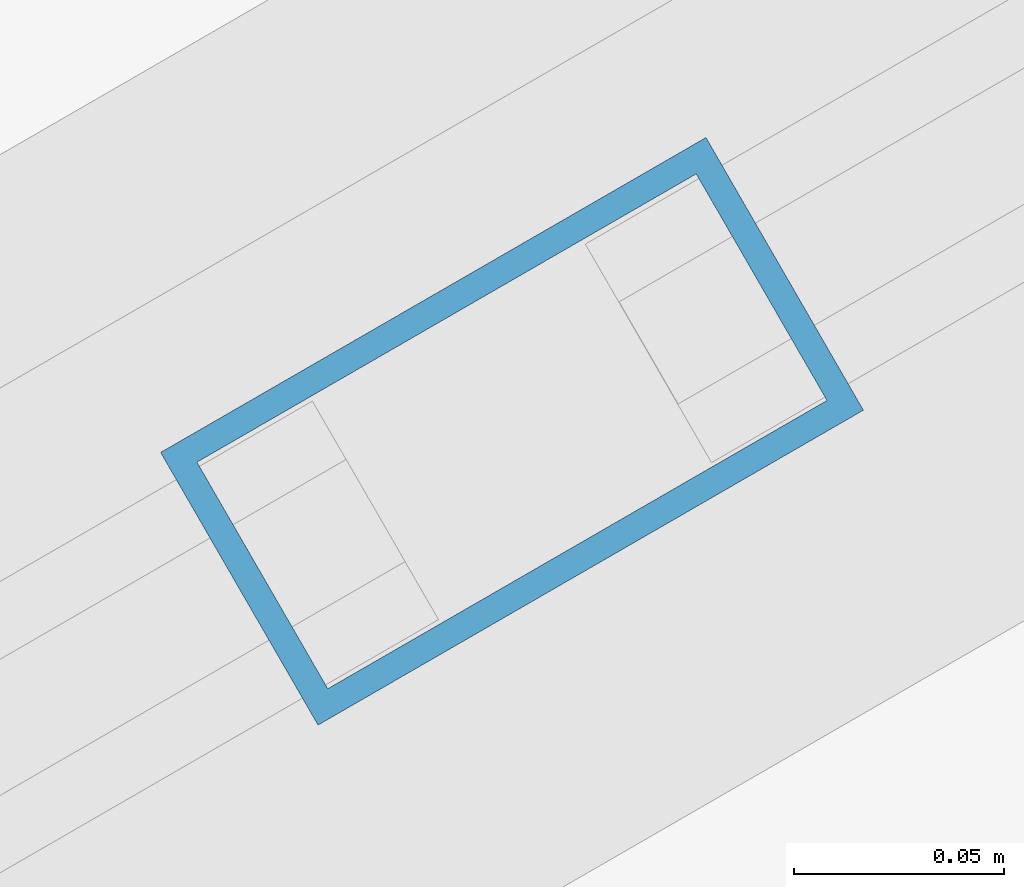
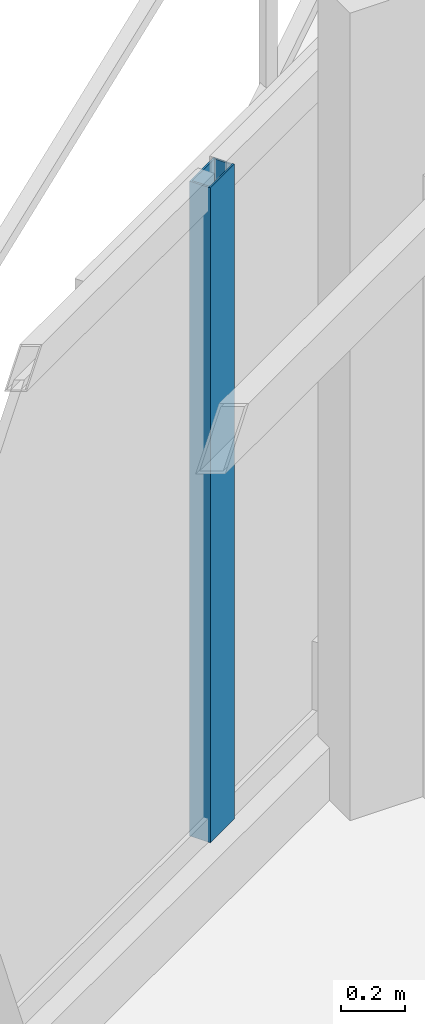
# One storey, part 10 of 22: 1 member, 1 element without a shape of its own.
"""IFC4 building model written with IfcOpenShell, lengths in metres."""

import ifcopenshell
import ifcopenshell.guid

model = None  # the IFC model being written
_history = None  # IfcOwnerHistory: only IFC2X3 demands one
_inside = {}  # id of a spatial element -> (the spatial element, [elements in it])
_under = {}  # id of a project, library or spatial element -> (it, [spatial elements below it])
_declared = {}  # id of a project -> (the project, [libraries it declares])
_typed = {}  # id of a type object -> (the type object, [elements of that type])
_made_of = {}  # id of a material, layer set ... -> (it, [elements and type objects made of it])


def new_model(schema):
    """Start an empty IFC model of exactly this schema.

    Asked for "IFC4X3", IfcOpenShell would pick the latest addendum, in which some entities
    have other attributes; the version numbers below select the first issue.
    IFC2X3 requires an IfcOwnerHistory on every rooted entity: one is made here for all.
    """
    global model, _history
    if schema == "IFC4X3":
        model = ifcopenshell.file(schema_version=(4, 3, 0, 0))
    else:
        model = ifcopenshell.file(schema=schema)
    _inside.clear()
    _under.clear()
    _declared.clear()
    _typed.clear()
    _made_of.clear()
    _history = None
    if model.schema == "IFC2X3":
        org = make("IfcOrganization", Name="unknown")
        user = make(
            "IfcPersonAndOrganization",
            ThePerson=make("IfcPerson", FamilyName="unknown"),
            TheOrganization=org,
        )
        app = make(
            "IfcApplication",
            ApplicationDeveloper=org,
            Version="unknown",
            ApplicationFullName="unknown",
            ApplicationIdentifier="unknown",
        )
        _history = make(
            "IfcOwnerHistory",
            OwningUser=user,
            OwningApplication=app,
            ChangeAction="ADDED",
            CreationDate=0,
        )
    return model


def make(cls, **values):
    """One entity of the class cls with the attributes given. An attribute that is None is left unset."""
    return model.create_entity(
        cls, **{name: value for name, value in values.items() if value is not None}
    )


def rooted(cls, **values):
    """An entity with a GlobalId (a new one), such as an element, a storey or a relation."""
    return make(cls, GlobalId=ifcopenshell.guid.new(), OwnerHistory=_history, **values)


def si_unit(unit_type, name, prefix=None):
    """IfcSIUnit, for example si_unit("LENGTHUNIT", "METRE", prefix="MILLI")."""
    return make("IfcSIUnit", UnitType=unit_type, Prefix=prefix, Name=name)


def assignment(units):
    """IfcUnitAssignment: the units of a project."""
    return None if units is None else make("IfcUnitAssignment", Units=units)


def point(xyz):
    """IfcCartesianPoint."""
    return None if xyz is None else make("IfcCartesianPoint", Coordinates=xyz)


def direction(xyz):
    """IfcDirection."""
    return None if xyz is None else make("IfcDirection", DirectionRatios=xyz)


def frame(location, z_axis=None, x_axis=None):
    """IfcAxis2Placement3D, a coordinate frame: its origin and axes. An axis left out is left unset."""
    return make(
        "IfcAxis2Placement3D",
        Location=point(location),
        Axis=direction(z_axis),
        RefDirection=direction(x_axis),
    )


def frame_2d(location, x_axis=None):
    """IfcAxis2Placement2D, a coordinate frame in the plane: its origin and x axis."""
    return make(
        "IfcAxis2Placement2D", Location=point(location), RefDirection=direction(x_axis)
    )


def origin():
    """The frame at (0, 0, 0) with its axes left unset."""
    return frame((0.0, 0.0, 0.0))


def origin_2d():
    """The frame at (0, 0) in the plane with its x axis left unset."""
    return frame_2d((0.0, 0.0))


def place(relative_to, where):
    """IfcLocalPlacement: puts the frame where relative to a parent placement (None: the world)."""
    return make(
        "IfcLocalPlacement", PlacementRelTo=relative_to, RelativePlacement=where
    )


def context(
    kind, dimensions, precision=None, world=None, true_north=None, identifier=None
):
    """IfcGeometricRepresentationContext, for example the 3D "Model" context."""
    return make(
        "IfcGeometricRepresentationContext",
        ContextIdentifier=identifier,
        ContextType=kind,
        CoordinateSpaceDimension=dimensions,
        Precision=precision,
        WorldCoordinateSystem=world,
        TrueNorth=true_north,
    )


def subcontext(parent, identifier, kind, view, scale=None):
    """IfcGeometricRepresentationSubContext, for example "Body" below "Model"."""
    return make(
        "IfcGeometricRepresentationSubContext",
        ContextIdentifier=identifier,
        ContextType=kind,
        ParentContext=parent,
        TargetScale=scale,
        TargetView=view,
    )


def project(units=None, contexts=None):
    """IfcProject with its units and contexts."""
    return rooted(
        "IfcProject",
        Name="project",
        RepresentationContexts=contexts,
        UnitsInContext=assignment(units),
    )


def spatial(cls, under=None, at=None, **own):
    """A site, building, storey or space (cls), placed at a placement, below another one or the project."""
    s = rooted(cls, ObjectPlacement=at, **own)
    if under is not None:
        _under.setdefault(under.id(), (under, []))[1].append(s)
    return s


def profile(cls, at=None, kind="AREA", **sizes):
    """A parametric profile (cls). Its sizes go by their IFC names, for example OverallWidth=200.0."""
    return make(cls, ProfileType=kind, Position=at, **sizes)


def hollow_rectangle(**sizes):
    """IfcRectangleHollowProfileDef."""
    return profile("IfcRectangleHollowProfileDef", **sizes)


def extrude(swept, where, along, depth):
    """IfcExtrudedAreaSolid: the profile swept, set in the frame where, extruded along a direction by depth."""
    return make(
        "IfcExtrudedAreaSolid",
        SweptArea=swept,
        Position=where,
        ExtrudedDirection=direction(along),
        Depth=depth,
    )


def shape(context_of_items, identifier, shape_type, items):
    """IfcShapeRepresentation: the items that make up one representation, for example the "Body"."""
    return make(
        "IfcShapeRepresentation",
        ContextOfItems=context_of_items,
        RepresentationIdentifier=identifier,
        RepresentationType=shape_type,
        Items=items,
    )


def material(Name=None, Category=None):
    """IfcMaterial."""
    return make("IfcMaterial", Name=Name, Category=Category)


def layer(
    of_material, thickness, ventilated=None, Name=None, Category=None, Priority=None
):
    """IfcMaterialLayer: one layer of a wall or slab, of a material (None: an air gap)."""
    return make(
        "IfcMaterialLayer",
        Material=of_material,
        LayerThickness=thickness,
        IsVentilated=ventilated,
        Name=Name,
        Category=Category,
        Priority=Priority,
    )


def layer_set(layers, Name=None):
    """IfcMaterialLayerSet."""
    return make("IfcMaterialLayerSet", MaterialLayers=layers, LayerSetName=Name)


def material_profile(
    of_material, cross_section, Name=None, Category=None, Priority=None
):
    """IfcMaterialProfile: a cross section and its material."""
    return make(
        "IfcMaterialProfile",
        Name=Name,
        Material=of_material,
        Profile=cross_section,
        Priority=Priority,
        Category=Category,
    )


def profile_set(profiles, Name=None, composite=None):
    """IfcMaterialProfileSet."""
    return make(
        "IfcMaterialProfileSet",
        Name=Name,
        MaterialProfiles=profiles,
        CompositeProfile=composite,
    )


def made_of(thing, what):
    """Note that an element or type object is made of a material, layer set ...; save() writes the relation."""
    if what is not None:
        _made_of.setdefault(what.id(), (what, []))[1].append(thing)
    return thing


def type_object(cls, material=None, **own):
    """A type object (cls), such as IfcWallType, which elements share."""
    return made_of(rooted(cls, **own), material)


def element(
    cls,
    number,
    at=None,
    inside=None,
    cuts=None,
    type_object=None,
    material=None,
    context=None,
    identifier="Body",
    shape_type=None,
    held_by="IfcProductDefinitionShape",
    body=None,
    shapes=None,
    **own,
):
    """One element of the class cls, such as IfcWall. Its Tag is "e" and its number.

    at: its placement. inside: the storey or other place that contains it. cuts: it is an
    opening in that element (IfcRelVoidsElement). A single representation is given by context,
    identifier, shape_type and body (its items); several are given by shapes. held_by: the class
    of the entity that holds the representations. save() writes the other relations.
    """
    e = rooted(cls, Tag="e%d" % number, ObjectPlacement=at, **own)
    if body is not None:
        shapes = [shape(context, identifier, shape_type, body)]
    if shapes is not None:
        e.Representation = make(held_by, Representations=shapes)
    if inside is not None:
        _inside.setdefault(inside.id(), (inside, []))[1].append(e)
    if cuts is not None:
        rooted(
            "IfcRelVoidsElement", RelatingBuildingElement=cuts, RelatedOpeningElement=e
        )
    if type_object is not None:
        _typed.setdefault(type_object.id(), (type_object, []))[1].append(e)
    return made_of(e, material)


def aggregate(whole, parts):
    """IfcRelAggregates: a whole, such as a stair, and the parts it consists of."""
    return rooted("IfcRelAggregates", RelatingObject=whole, RelatedObjects=parts)


def save(model, path):
    """Write the relations noted so far, then the file.

    IfcRelAggregates (storeys below a building ...), IfcRelContainedInSpatialStructure (elements
    in a storey), IfcRelDefinesByType, IfcRelAssociatesMaterial and IfcRelDeclares: one each for
    every whole, place, type object, material and project.
    """
    for whole, parts in _under.values():
        aggregate(whole, parts)
    for where, things in _inside.values():
        rooted(
            "IfcRelContainedInSpatialStructure",
            RelatedElements=things,
            RelatingStructure=where,
        )
    for kind, things in _typed.values():
        rooted("IfcRelDefinesByType", RelatedObjects=things, RelatingType=kind)
    for what, things in _made_of.values():
        rooted("IfcRelAssociatesMaterial", RelatedObjects=things, RelatingMaterial=what)
    for by, libraries in _declared.values():
        rooted("IfcRelDeclares", RelatingContext=by, RelatedDefinitions=libraries)
    model.write(path)


model = new_model("IFC4")

# Units and contexts
model_context = context("Model", 3, precision=1e-05, world=origin(), true_north=direction((0.0, 1.0)))
body_context = subcontext(model_context, "Body", "Model", "MODEL_VIEW")
ifc_project = project(units=[si_unit("LENGTHUNIT", "METRE"), si_unit("AREAUNIT", "SQUARE_METRE"), si_unit("VOLUMEUNIT", "CUBIC_METRE"), si_unit("PLANEANGLEUNIT", "RADIAN"), si_unit("MASSUNIT", "GRAM", prefix="KILO")], contexts=[model_context])

# Site, building, storey
site_placement = place(None, origin())
site = spatial("IfcSite", under=ifc_project, at=site_placement, CompositionType="ELEMENT")
building_placement = place(site_placement, origin())
building = spatial("IfcBuilding", under=site, at=building_placement, Name="Mersakhor Tower and Convention Hall", CompositionType="ELEMENT")
storey_placement = place(building_placement, frame((0.0, 0.0, 195.300048828125)))
storey = spatial("IfcBuildingStorey", under=building, at=storey_placement, Name="L54", CompositionType="ELEMENT", Elevation=195.300048828125)

# Curtain wall, member
ifc_material_1 = material(Name="Dark solar low-E aluminium curtain wall", Category="aluminium")
ifc_layer = layer(ifc_material_1, 0.169921875)
ifc_layer_set = layer_set([ifc_layer], Name="Dark solar low-E aluminium curtain wall")
curtain_wall_type = type_object("IfcCurtainWallType", Name="CW-SYS-02", PredefinedType="USERDEFINED", material=ifc_layer_set)
curtain_wall_placement = place(storey_placement, origin())
curtain_wall = element("IfcCurtainWall", 1, at=curtain_wall_placement, inside=storey, type_object=curtain_wall_type, Name="L54 Dark-Glass Curtain Wall F1-B2", ObjectType="CURTAIN WALL", PredefinedType="USERDEFINED")
ifc_material_2 = material(Name="Anodised aluminium EN AW-6063 T6", Category="aluminium")
ifc_material_profile = material_profile(ifc_material_2, hollow_rectangle(XDim=0.074951171875, YDim=0.14990234375, WallThickness=0.00634765625, at=origin_2d()), Name="RHS 150x75x6.3")
ifc_profile_set = profile_set([ifc_material_profile], Name="Anodised aluminium EN AW-6063 T6")
member_type = type_object("IfcMemberType", Name="CWM-150x75", PredefinedType="MULLION", material=ifc_profile_set)
member_placement = place(storey_placement, frame((24.504638671875, 37.535888671875, 0.199951171875), z_axis=(0.0, 0.0, 1.0), x_axis=(-0.500007824483, 0.86602088627, 0.0)))
member = element("IfcMember", 2, at=member_placement, type_object=member_type, Name="CW-02 mullion 3", PredefinedType="MULLION", context=body_context, shape_type="SweptSolid", body=[
    extrude(hollow_rectangle(XDim=0.074951171875, YDim=0.14990234375, WallThickness=0.00634765625, at=origin_2d()), origin(), (0.0, 0.0, 1.0), 2.489990234375),
])
aggregate(curtain_wall, [member])

save(model, "model.ifc")
